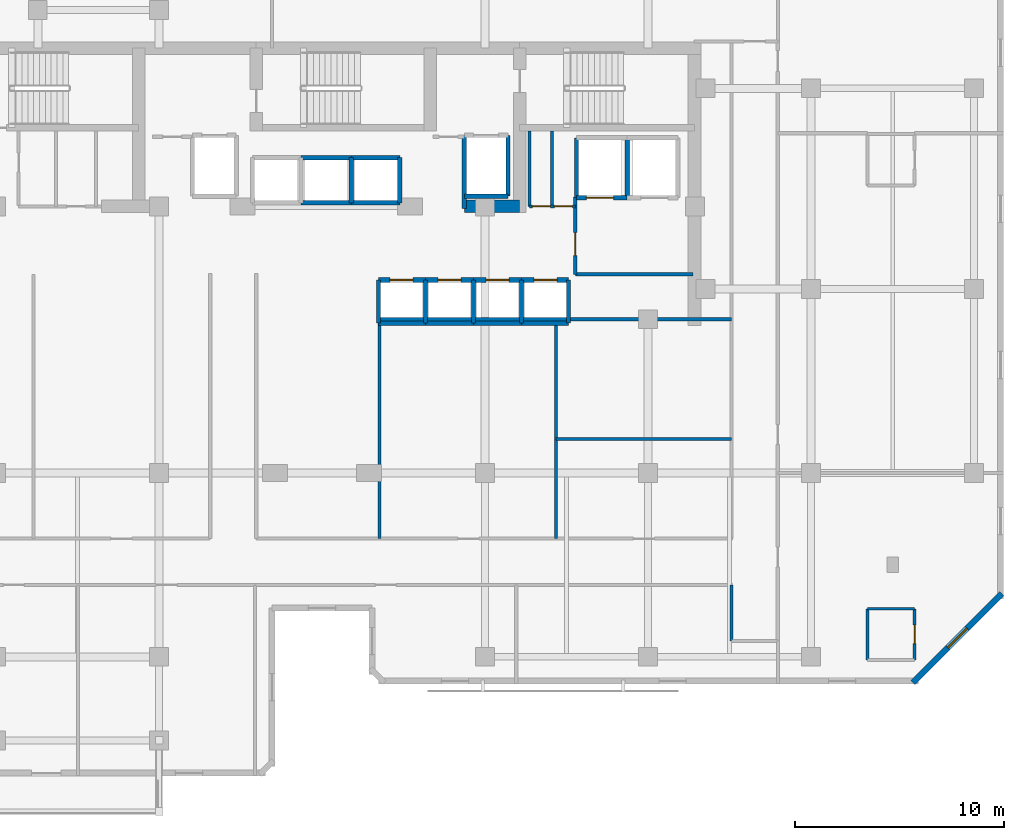
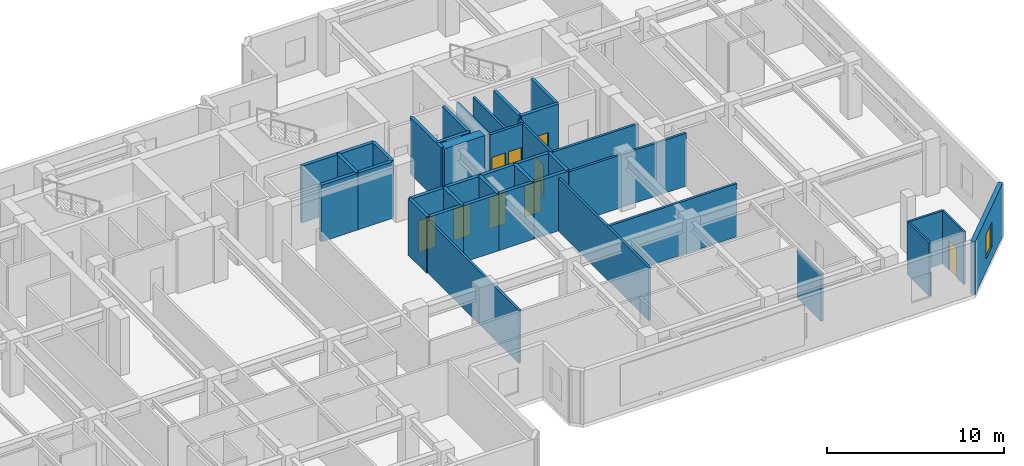
# One storey, part 6 of 11: 40 walls, 9 doors, 1 window, 10 openings.
"""IFC4 building model written with IfcOpenShell, lengths in metres."""

import ifcopenshell
import ifcopenshell.guid

model = None  # the IFC model being written
_history = None  # IfcOwnerHistory: only IFC2X3 demands one
_inside = {}  # id of a spatial element -> (the spatial element, [elements in it])
_under = {}  # id of a project, library or spatial element -> (it, [spatial elements below it])
_declared = {}  # id of a project -> (the project, [libraries it declares])
_typed = {}  # id of a type object -> (the type object, [elements of that type])
_made_of = {}  # id of a material, layer set ... -> (it, [elements and type objects made of it])


def new_model(schema):
    """Start an empty IFC model of exactly this schema.

    Asked for "IFC4X3", IfcOpenShell would pick the latest addendum, in which some entities
    have other attributes; the version numbers below select the first issue.
    IFC2X3 requires an IfcOwnerHistory on every rooted entity: one is made here for all.
    """
    global model, _history
    if schema == "IFC4X3":
        model = ifcopenshell.file(schema_version=(4, 3, 0, 0))
    else:
        model = ifcopenshell.file(schema=schema)
    _inside.clear()
    _under.clear()
    _declared.clear()
    _typed.clear()
    _made_of.clear()
    _history = None
    if model.schema == "IFC2X3":
        org = make("IfcOrganization", Name="unknown")
        user = make(
            "IfcPersonAndOrganization",
            ThePerson=make("IfcPerson", FamilyName="unknown"),
            TheOrganization=org,
        )
        app = make(
            "IfcApplication",
            ApplicationDeveloper=org,
            Version="unknown",
            ApplicationFullName="unknown",
            ApplicationIdentifier="unknown",
        )
        _history = make(
            "IfcOwnerHistory",
            OwningUser=user,
            OwningApplication=app,
            ChangeAction="ADDED",
            CreationDate=0,
        )
    return model


def make(cls, **values):
    """One entity of the class cls with the attributes given. An attribute that is None is left unset."""
    return model.create_entity(
        cls, **{name: value for name, value in values.items() if value is not None}
    )


def rooted(cls, **values):
    """An entity with a GlobalId (a new one), such as an element, a storey or a relation."""
    return make(cls, GlobalId=ifcopenshell.guid.new(), OwnerHistory=_history, **values)


def si_unit(unit_type, name, prefix=None):
    """IfcSIUnit, for example si_unit("LENGTHUNIT", "METRE", prefix="MILLI")."""
    return make("IfcSIUnit", UnitType=unit_type, Prefix=prefix, Name=name)


def assignment(units):
    """IfcUnitAssignment: the units of a project."""
    return None if units is None else make("IfcUnitAssignment", Units=units)


def point(xyz):
    """IfcCartesianPoint."""
    return None if xyz is None else make("IfcCartesianPoint", Coordinates=xyz)


def direction(xyz):
    """IfcDirection."""
    return None if xyz is None else make("IfcDirection", DirectionRatios=xyz)


def frame(location, z_axis=None, x_axis=None):
    """IfcAxis2Placement3D, a coordinate frame: its origin and axes. An axis left out is left unset."""
    return make(
        "IfcAxis2Placement3D",
        Location=point(location),
        Axis=direction(z_axis),
        RefDirection=direction(x_axis),
    )


def frame_2d(location, x_axis=None):
    """IfcAxis2Placement2D, a coordinate frame in the plane: its origin and x axis."""
    return make(
        "IfcAxis2Placement2D", Location=point(location), RefDirection=direction(x_axis)
    )


def origin():
    """The frame at (0, 0, 0) with its axes left unset."""
    return frame((0.0, 0.0, 0.0))


def place(relative_to, where):
    """IfcLocalPlacement: puts the frame where relative to a parent placement (None: the world)."""
    return make(
        "IfcLocalPlacement", PlacementRelTo=relative_to, RelativePlacement=where
    )


def context(
    kind, dimensions, precision=None, world=None, true_north=None, identifier=None
):
    """IfcGeometricRepresentationContext, for example the 3D "Model" context."""
    return make(
        "IfcGeometricRepresentationContext",
        ContextIdentifier=identifier,
        ContextType=kind,
        CoordinateSpaceDimension=dimensions,
        Precision=precision,
        WorldCoordinateSystem=world,
        TrueNorth=true_north,
    )


def subcontext(parent, identifier, kind, view, scale=None):
    """IfcGeometricRepresentationSubContext, for example "Body" below "Model"."""
    return make(
        "IfcGeometricRepresentationSubContext",
        ContextIdentifier=identifier,
        ContextType=kind,
        ParentContext=parent,
        TargetScale=scale,
        TargetView=view,
    )


def project(units=None, contexts=None):
    """IfcProject with its units and contexts."""
    return rooted(
        "IfcProject",
        Name="project",
        RepresentationContexts=contexts,
        UnitsInContext=assignment(units),
    )


def spatial(cls, under=None, at=None, **own):
    """A site, building, storey or space (cls), placed at a placement, below another one or the project."""
    s = rooted(cls, ObjectPlacement=at, **own)
    if under is not None:
        _under.setdefault(under.id(), (under, []))[1].append(s)
    return s


def profile(cls, at=None, kind="AREA", **sizes):
    """A parametric profile (cls). Its sizes go by their IFC names, for example OverallWidth=200.0."""
    return make(cls, ProfileType=kind, Position=at, **sizes)


def rectangle(**sizes):
    """IfcRectangleProfileDef."""
    return profile("IfcRectangleProfileDef", **sizes)


def extrude(swept, where, along, depth):
    """IfcExtrudedAreaSolid: the profile swept, set in the frame where, extruded along a direction by depth."""
    return make(
        "IfcExtrudedAreaSolid",
        SweptArea=swept,
        Position=where,
        ExtrudedDirection=direction(along),
        Depth=depth,
    )


def shape(context_of_items, identifier, shape_type, items):
    """IfcShapeRepresentation: the items that make up one representation, for example the "Body"."""
    return make(
        "IfcShapeRepresentation",
        ContextOfItems=context_of_items,
        RepresentationIdentifier=identifier,
        RepresentationType=shape_type,
        Items=items,
    )


def material(Name=None, Category=None):
    """IfcMaterial."""
    return make("IfcMaterial", Name=Name, Category=Category)


def layer(
    of_material, thickness, ventilated=None, Name=None, Category=None, Priority=None
):
    """IfcMaterialLayer: one layer of a wall or slab, of a material (None: an air gap)."""
    return make(
        "IfcMaterialLayer",
        Material=of_material,
        LayerThickness=thickness,
        IsVentilated=ventilated,
        Name=Name,
        Category=Category,
        Priority=Priority,
    )


def layer_set(layers, Name=None):
    """IfcMaterialLayerSet."""
    return make("IfcMaterialLayerSet", MaterialLayers=layers, LayerSetName=Name)


def made_of(thing, what):
    """Note that an element or type object is made of a material, layer set ...; save() writes the relation."""
    if what is not None:
        _made_of.setdefault(what.id(), (what, []))[1].append(thing)
    return thing


def type_object(cls, material=None, **own):
    """A type object (cls), such as IfcWallType, which elements share."""
    return made_of(rooted(cls, **own), material)


def element(
    cls,
    number,
    at=None,
    inside=None,
    cuts=None,
    type_object=None,
    material=None,
    context=None,
    identifier="Body",
    shape_type=None,
    held_by="IfcProductDefinitionShape",
    body=None,
    shapes=None,
    **own,
):
    """One element of the class cls, such as IfcWall. Its Tag is "e" and its number.

    at: its placement. inside: the storey or other place that contains it. cuts: it is an
    opening in that element (IfcRelVoidsElement). A single representation is given by context,
    identifier, shape_type and body (its items); several are given by shapes. held_by: the class
    of the entity that holds the representations. save() writes the other relations.
    """
    e = rooted(cls, Tag="e%d" % number, ObjectPlacement=at, **own)
    if body is not None:
        shapes = [shape(context, identifier, shape_type, body)]
    if shapes is not None:
        e.Representation = make(held_by, Representations=shapes)
    if inside is not None:
        _inside.setdefault(inside.id(), (inside, []))[1].append(e)
    if cuts is not None:
        rooted(
            "IfcRelVoidsElement", RelatingBuildingElement=cuts, RelatedOpeningElement=e
        )
    if type_object is not None:
        _typed.setdefault(type_object.id(), (type_object, []))[1].append(e)
    return made_of(e, material)


def fill(opening, filler):
    """IfcRelFillsElement: the door or window that sits in an opening."""
    return rooted(
        "IfcRelFillsElement",
        RelatingOpeningElement=opening,
        RelatedBuildingElement=filler,
    )


def aggregate(whole, parts):
    """IfcRelAggregates: a whole, such as a stair, and the parts it consists of."""
    return rooted("IfcRelAggregates", RelatingObject=whole, RelatedObjects=parts)


def save(model, path):
    """Write the relations noted so far, then the file.

    IfcRelAggregates (storeys below a building ...), IfcRelContainedInSpatialStructure (elements
    in a storey), IfcRelDefinesByType, IfcRelAssociatesMaterial and IfcRelDeclares: one each for
    every whole, place, type object, material and project.
    """
    for whole, parts in _under.values():
        aggregate(whole, parts)
    for where, things in _inside.values():
        rooted(
            "IfcRelContainedInSpatialStructure",
            RelatedElements=things,
            RelatingStructure=where,
        )
    for kind, things in _typed.values():
        rooted("IfcRelDefinesByType", RelatedObjects=things, RelatingType=kind)
    for what, things in _made_of.values():
        rooted("IfcRelAssociatesMaterial", RelatedObjects=things, RelatingMaterial=what)
    for by, libraries in _declared.values():
        rooted("IfcRelDeclares", RelatingContext=by, RelatedDefinitions=libraries)
    model.write(path)


model = new_model("IFC4")

# Units and contexts
model_context = context("Model", 3, precision=1e-05, world=origin(), true_north=direction((0.0, 1.0)))
body_context = subcontext(model_context, "Body", "Model", "MODEL_VIEW")
ifc_project = project(units=[si_unit("LENGTHUNIT", "METRE"), si_unit("AREAUNIT", "SQUARE_METRE"), si_unit("VOLUMEUNIT", "CUBIC_METRE"), si_unit("PLANEANGLEUNIT", "RADIAN"), si_unit("MASSUNIT", "GRAM", prefix="KILO")], contexts=[model_context])

# Site, building, storey
site_placement = place(None, origin())
site = spatial("IfcSite", under=ifc_project, at=site_placement, CompositionType="ELEMENT")
building_placement = place(site_placement, origin())
building = spatial("IfcBuilding", under=site, at=building_placement, Name="Kestravale Grand Hotel", CompositionType="ELEMENT")
storey_placement = place(building_placement, frame((0.0, 0.0, 204.60009765625)))
storey = spatial("IfcBuildingStorey", under=building, at=storey_placement, Name="L51", CompositionType="ELEMENT", Elevation=204.60009765625)

# Wall
ifc_material_1 = material(Name="Concrete f'c 50 MPa", Category="concrete")
ifc_layer_1 = layer(ifc_material_1, 0.60009765625)
ifc_layer_set_1 = layer_set([ifc_layer_1], Name="EW-CORE-600")
wall_type_1 = type_object("IfcWallType", Name="EW-CORE-600", PredefinedType="SHEAR", material=ifc_layer_set_1)
wall_1_placement = place(storey_placement, frame((45.81005859375, 32.75, 0.0), z_axis=(0.0, 0.0, 1.0), x_axis=(1.0, 0.0, 0.0)))
element("IfcWall", 1, at=wall_1_placement, inside=storey, type_object=wall_type_1, Name="L51 core shear wall S2", PredefinedType="SHEAR", context=body_context, shape_type="SweptSolid", body=[
    extrude(rectangle(XDim=2.639892578125, YDim=0.60009765625, at=frame_2d((1.31982421875, 0.0))), origin(), (0.0, 0.0, 1.0), 3.89990234375),
])

# Wall, opening, window
ifc_material_2 = material(Name="Precast concrete f'c 45 MPa", Category="concrete")
ifc_layer_2 = layer(ifc_material_2, 0.280029296875)
ifc_layer_set_2 = layer_set([ifc_layer_2], Name="EW-PREC-280")
wall_type_2 = type_object("IfcWallType", Name="EW-PREC-280", PredefinedType="SOLIDWALL", material=ifc_layer_set_2)
wall_2_placement = place(storey_placement, frame((67.272705078125, 9.970703125, 0.0), z_axis=(0.0, 0.0, 1.0), x_axis=(0.707106781187, 0.707106781187, 0.0)))
wall_2 = element("IfcWall", 2, at=wall_2_placement, inside=storey, type_object=wall_type_2, Name="L51 fluted precast facade wall 8", PredefinedType="SOLIDWALL", context=body_context, shape_type="SweptSolid", body=[
    extrude(rectangle(XDim=6.019775390625, YDim=0.280029296875, at=frame_2d((3.009765625, 0.0))), origin(), (0.0, 0.0, 1.0), 3.64990234375),
])
opening_1_placement = place(wall_2_placement, frame((2.35986328125, 0.0, 0.85009765625)))
opening_1 = element("IfcOpeningElement", 3, at=opening_1_placement, cuts=wall_2, Name="Opening W-GUEST-1300", PredefinedType="OPENING", context=body_context, shape_type="SweptSolid", body=[
    extrude(rectangle(XDim=1.300048828125, YDim=1.699951171875, at=frame_2d((0.64990234375, 0.85009765625))), frame((0.0, 0.14990234375, 0.0), z_axis=(0.0, -1.0, 0.0), x_axis=(1.0, 0.0, 0.0)), (0.0, 0.0, 1.0), 0.300048828125),
])
ifc_material_3 = material(Name="Insulated low-E double glazing in aluminium frame", Category="aluminium")
window_type = type_object("IfcWindowType", Name="W-GUEST-1300", PartitioningType="SINGLE_PANEL", PredefinedType="WINDOW", material=ifc_material_3)
window_placement = place(opening_1_placement, origin())
window = element("IfcWindow", 4, at=window_placement, inside=storey, type_object=window_type, Name="L51 exterior window 8.1", OverallHeight=1.699951171875, OverallWidth=1.300048828125, PartitioningType="SINGLE_PANEL", PredefinedType="WINDOW", context=body_context, shape_type="SweptSolid", body=[
    extrude(rectangle(XDim=1.300048828125, YDim=1.699951171875, at=frame_2d((0.64990234375, 0.85009765625))), frame((0.0, 0.030029296875, 0.0), z_axis=(0.0, -1.0, 0.0), x_axis=(1.0, 0.0, 0.0)), (0.0, 0.0, 1.0), 0.06005859375),
])
fill(opening_1, window)

# Wall, opening, door
ifc_material_4 = material(Name="Acoustic fire-rated gypsum board partition", Category="other")
ifc_layer_3 = layer(ifc_material_4, 0.159912109375)
ifc_layer_set_3 = layer_set([ifc_layer_3], Name="IW-CORR-160")
wall_type_3 = type_object("IfcWallType", Name="IW-CORR-160", PredefinedType="PARTITIONING", material=ifc_layer_set_3)
wall_3_placement = place(storey_placement, frame((51.1201171875, 29.5, 0.0), z_axis=(0.0, 0.0, 1.0), x_axis=(0.0, 1.0, 0.0)))
wall_3 = element("IfcWall", 5, at=wall_3_placement, inside=storey, type_object=wall_type_3, Name="W-L51-SVCLOB-W", PredefinedType="PARTITIONING", context=body_context, shape_type="SweptSolid", body=[
    extrude(rectangle(XDim=3.699951171875, YDim=0.159912109375, at=frame_2d((1.85009765625, 0.0))), origin(), (0.0, 0.0, 1.0), 3.64990234375),
])
opening_2_placement = place(wall_3_placement, frame((0.89990234375, 0.0, 0.0)))
opening_2 = element("IfcOpeningElement", 6, at=opening_2_placement, cuts=wall_3, Name="Opening D-CORR-1100", PredefinedType="OPENING", context=body_context, shape_type="SweptSolid", body=[
    extrude(rectangle(XDim=1.10009765625, YDim=2.14990234375, at=frame_2d((0.550048828125, 1.074951171875))), frame((0.0, 0.08984375, 0.0), z_axis=(0.0, -1.0, 0.0), x_axis=(1.0, 0.0, 0.0)), (0.0, 0.0, 1.0), 0.179931640625),
])
ifc_material_5 = material(Name="Single-leaf service vestibule fire door", Category="steel")
door_type_1 = type_object("IfcDoorType", Name="D-CORR-1100", OperationType="NOTDEFINED", PredefinedType="DOOR", material=ifc_material_5)
door_1_placement = place(opening_2_placement, origin())
door_1 = element("IfcDoor", 7, at=door_1_placement, inside=storey, type_object=door_type_1, Name="L51 service lift lobby door", OperationType="SINGLE_SWING_LEFT", OverallHeight=2.14990234375, OverallWidth=1.10009765625, PredefinedType="DOOR", context=body_context, shape_type="SweptSolid", body=[
    extrude(rectangle(XDim=1.10009765625, YDim=2.14990234375, at=frame_2d((0.550048828125, 1.074951171875))), frame((0.0, 0.02490234375, 0.0), z_axis=(0.0, -1.0, 0.0), x_axis=(1.0, 0.0, 0.0)), (0.0, 0.0, 1.0), 0.050048828125),
])
fill(opening_2, door_1)

# Wall
wall_4_placement = place(storey_placement, frame((51.1201171875, 29.5, 0.0), z_axis=(0.0, 0.0, 1.0), x_axis=(1.0, 0.0, 0.0)))
element("IfcWall", 8, at=wall_4_placement, inside=storey, type_object=wall_type_3, Name="L51 service lift lobby wall", PredefinedType="PARTITIONING", context=body_context, shape_type="SweptSolid", body=[
    extrude(rectangle(XDim=5.6298828125, YDim=0.159912109375, at=frame_2d((2.81494140625, 0.0))), origin(), (0.0, 0.0, 1.0), 3.64990234375),
])

# Wall, openings, doors
wall_5_placement = place(storey_placement, frame((48.919921875, 32.75, 0.0), z_axis=(0.0, 0.0, 1.0), x_axis=(1.0, 0.0, 0.0)))
wall_5 = element("IfcWall", 9, at=wall_5_placement, inside=storey, type_object=wall_type_3, Name="W-L51-CES", PredefinedType="PARTITIONING", context=body_context, shape_type="SweptSolid", body=[
    extrude(rectangle(XDim=2.2001953125, YDim=0.159912109375, at=frame_2d((1.10009765625, 0.0))), origin(), (0.0, 0.0, 1.0), 3.64990234375),
])
opening_3_placement = place(wall_5_placement, frame((0.139892578125, 0.0, 0.0)))
opening_3 = element("IfcOpeningElement", 10, at=opening_3_placement, cuts=wall_5, Name="Opening D-SH-860", PredefinedType="OPENING", context=body_context, shape_type="SweptSolid", body=[
    extrude(rectangle(XDim=0.860107421875, YDim=2.050048828125, at=frame_2d((0.43017578125, 1.02490234375))), frame((0.0, 0.08984375, 0.0), z_axis=(0.0, -1.0, 0.0), x_axis=(1.0, 0.0, 0.0)), (0.0, 0.0, 1.0), 0.179931640625),
])
opening_4_placement = place(wall_5_placement, frame((1.199951171875, 0.0, 0.0)))
opening_4 = element("IfcOpeningElement", 11, at=opening_4_placement, cuts=wall_5, Name="Opening D-SH-860", PredefinedType="OPENING", context=body_context, shape_type="SweptSolid", body=[
    extrude(rectangle(XDim=0.860107421875, YDim=2.050048828125, at=frame_2d((0.43017578125, 1.02490234375))), frame((0.0, 0.08984375, 0.0), z_axis=(0.0, -1.0, 0.0), x_axis=(1.0, 0.0, 0.0)), (0.0, 0.0, 1.0), 0.179931640625),
])
ifc_material_6 = material(Name="Galvanised 90-minute riser fire door", Category="steel")
door_type_2 = type_object("IfcDoorType", Name="D-SH-860", OperationType="NOTDEFINED", PredefinedType="DOOR", material=ifc_material_6)
door_2_placement = place(opening_3_placement, origin())
door_2 = element("IfcDoor", 12, at=door_2_placement, inside=storey, type_object=door_type_2, Name="L51 CSTO1 door", OperationType="SINGLE_SWING_LEFT", OverallHeight=2.050048828125, OverallWidth=0.860107421875, PredefinedType="DOOR", context=body_context, shape_type="SweptSolid", body=[
    extrude(rectangle(XDim=0.860107421875, YDim=2.050048828125, at=frame_2d((0.43017578125, 1.02490234375))), frame((0.0, 0.02490234375, 0.0), z_axis=(0.0, -1.0, 0.0), x_axis=(1.0, 0.0, 0.0)), (0.0, 0.0, 1.0), 0.050048828125),
])
fill(opening_3, door_2)
door_3_placement = place(opening_4_placement, origin())
door_3 = element("IfcDoor", 13, at=door_3_placement, inside=storey, type_object=door_type_2, Name="L51 CSTO2 door", OperationType="SINGLE_SWING_RIGHT", OverallHeight=2.050048828125, OverallWidth=0.860107421875, PredefinedType="DOOR", context=body_context, shape_type="SweptSolid", body=[
    extrude(rectangle(XDim=0.860107421875, YDim=2.050048828125, at=frame_2d((0.43017578125, 1.02490234375))), frame((0.0, 0.02490234375, 0.0), z_axis=(0.0, -1.0, 0.0), x_axis=(1.0, 0.0, 0.0)), (0.0, 0.0, 1.0), 0.050048828125),
])
fill(opening_4, door_3)

# Walls
wall_6_placement = place(storey_placement, frame((58.590087890625, 11.949951171875, 0.0), z_axis=(0.0, 0.0, 1.0), x_axis=(0.0, 1.0, 0.0)))
element("IfcWall", 14, at=wall_6_placement, inside=storey, type_object=wall_type_3, Name="W-L51-SE-W", PredefinedType="PARTITIONING", context=body_context, shape_type="SweptSolid", body=[
    extrude(rectangle(XDim=2.68994140625, YDim=0.159912109375, at=frame_2d((1.344970703125, 0.0))), origin(), (0.0, 0.0, 1.0), 3.245849609375),
])
ifc_material_7 = material(Name="Moisture-resistant tile-backer plumbing chase wall", Category="other")
ifc_layer_4 = layer(ifc_material_7, 0.139892578125)
ifc_layer_set_4 = layer_set([ifc_layer_4], Name="IW-PLB-140")
wall_type_4 = type_object("IfcWallType", Name="IW-PLB-140", PredefinedType="PLUMBINGWALL", material=ifc_layer_set_4)
wall_7_placement = place(storey_placement, frame((65.10009765625, 11.050048828125, 0.0), z_axis=(0.0, 0.0, 1.0), x_axis=(0.0, 1.0, 0.0)))
element("IfcWall", 15, at=wall_7_placement, inside=storey, type_object=wall_type_4, Name="W-L51-U05-BW", PredefinedType="PLUMBINGWALL", context=body_context, shape_type="SweptSolid", body=[
    extrude(rectangle(XDim=2.449951171875, YDim=0.139892578125, at=frame_2d((1.22509765625, 0.0))), origin(), (0.0, 0.0, 1.0), 3.64990234375),
])

# Wall, opening, door
wall_8_placement = place(storey_placement, frame((67.35009765625, 11.050048828125, 0.0), z_axis=(0.0, 0.0, 1.0), x_axis=(0.0, 1.0, 0.0)))
wall_8 = element("IfcWall", 16, at=wall_8_placement, inside=storey, type_object=wall_type_4, Name="W-L51-U05-BE", PredefinedType="PLUMBINGWALL", context=body_context, shape_type="SweptSolid", body=[
    extrude(rectangle(XDim=2.449951171875, YDim=0.139892578125, at=frame_2d((1.22509765625, 0.0))), origin(), (0.0, 0.0, 1.0), 3.64990234375),
])
opening_5_placement = place(wall_8_placement, frame((0.784912109375, 0.0, 0.0)))
opening_5 = element("IfcOpeningElement", 17, at=opening_5_placement, cuts=wall_8, Name="Opening D-BATH-880", PredefinedType="OPENING", context=body_context, shape_type="SweptSolid", body=[
    extrude(rectangle(XDim=0.8798828125, YDim=2.050048828125, at=frame_2d((0.43994140625, 1.02490234375))), frame((0.0, 0.079833984375, 0.0), z_axis=(0.0, -1.0, 0.0), x_axis=(1.0, 0.0, 0.0)), (0.0, 0.0, 1.0), 0.159912109375),
])
ifc_material_8 = material(Name="Moisture-sealed walnut en-suite bathroom door", Category="wood")
door_type_3 = type_object("IfcDoorType", Name="D-BATH-880", OperationType="NOTDEFINED", PredefinedType="DOOR", material=ifc_material_8)
door_4_placement = place(opening_5_placement, origin())
door_4 = element("IfcDoor", 18, at=door_4_placement, inside=storey, type_object=door_type_3, Name="D-L51-U05-BATH", OperationType="SINGLE_SWING_RIGHT", OverallHeight=2.050048828125, OverallWidth=0.8798828125, PredefinedType="DOOR", context=body_context, shape_type="SweptSolid", body=[
    extrude(rectangle(XDim=0.8798828125, YDim=2.050048828125, at=frame_2d((0.43994140625, 1.02490234375))), frame((0.0, 0.02490234375, 0.0), z_axis=(0.0, -1.0, 0.0), x_axis=(1.0, 0.0, 0.0)), (0.0, 0.0, 1.0), 0.050048828125),
])
fill(opening_5, door_4)

# Walls
wall_9_placement = place(storey_placement, frame((65.10009765625, 13.5, 0.0), z_axis=(0.0, 0.0, 1.0), x_axis=(1.0, 0.0, 0.0)))
element("IfcWall", 19, at=wall_9_placement, inside=storey, type_object=wall_type_4, Name="W-L51-U05-BN", PredefinedType="PLUMBINGWALL", context=body_context, shape_type="SweptSolid", body=[
    extrude(rectangle(XDim=2.25, YDim=0.139892578125, at=frame_2d((1.125, 0.0))), origin(), (0.0, 0.0, 1.0), 3.64990234375),
])
ifc_material_9 = material(Name="Concrete f'c 45 MPa", Category="concrete")
ifc_layer_5 = layer(ifc_material_9, 0.199951171875)
ifc_layer_set_5 = layer_set([ifc_layer_5], Name="IW-SHAFT-200")
wall_type_5 = type_object("IfcWallType", Name="IW-SHAFT-200", PredefinedType="SHEAR", material=ifc_layer_set_5)
for number, where, z_axis, x_axis, name in (
    (20, (41.705078125, 27.169921875, 0.0), (0.0, 0.0, 1.0), (0.0, 1.0, 0.0), "L51 PL-M1 west shaft wall"),
    (21, (43.949951171875, 27.169921875, 0.0), (0.0, 0.0, 1.0), (0.0, 1.0, 0.0), "L51 PL-M2 west shaft wall"),
    (22, (46.25, 27.169921875, 0.0), (0.0, 0.0, 1.0), (0.0, 1.0, 0.0), "L51 PL-M3 west shaft wall"),
    (23, (48.550048828125, 27.169921875, 0.0), (0.0, 0.0, 1.0), (0.0, 1.0, 0.0), "L51 PL-M4 west shaft wall"),
    (24, (50.794921875, 27.169921875, 0.0), (0.0, 0.0, 1.0), (0.0, 1.0, 0.0), "L51 PL-M4 east shaft wall"),
):
    element("IfcWall", number, at=place(storey_placement, frame(where, z_axis=z_axis, x_axis=x_axis)), inside=storey, type_object=wall_type_5, Name=name, PredefinedType="SHEAR", context=body_context, shape_type="SweptSolid", body=[
        extrude(rectangle(XDim=2.06005859375, YDim=0.199951171875, at=frame_2d((1.030029296875, 0.0))), origin(), (0.0, 0.0, 1.0), 3.89990234375),
    ])
for number, where, z_axis, x_axis, name in (
    (25, (40.39990234375, 32.919921875, 0.0), (0.0, 0.0, 1.0), (0.0, 1.0, 0.0), "L51 PL-X3 west shaft wall"),
    (26, (42.719970703125, 32.919921875, 0.0), (0.0, 0.0, 1.0), (0.0, 1.0, 0.0), "L51 PL-X3 east shaft wall"),
):
    element("IfcWall", number, at=place(storey_placement, frame(where, z_axis=z_axis, x_axis=x_axis)), inside=storey, type_object=wall_type_5, Name=name, PredefinedType="SHEAR", context=body_context, shape_type="SweptSolid", body=[
        extrude(rectangle(XDim=2.16015625, YDim=0.199951171875, at=frame_2d((1.080078125, 0.0))), origin(), (0.0, 0.0, 1.0), 3.89990234375),
    ])
for number, where, z_axis, x_axis, name in (
    (27, (51.179931640625, 33.169921875, 0.0), (0.0, 0.0, 1.0), (0.0, 1.0, 0.0), "L51 SL-1 west shaft wall"),
    (28, (53.60009765625, 33.169921875, 0.0), (0.0, 0.0, 1.0), (0.0, 1.0, 0.0), "L51 SL-2 west shaft wall"),
):
    element("IfcWall", number, at=place(storey_placement, frame(where, z_axis=z_axis, x_axis=x_axis)), inside=storey, type_object=wall_type_5, Name=name, PredefinedType="SHEAR", context=body_context, shape_type="SweptSolid", body=[
        extrude(rectangle(XDim=2.860107421875, YDim=0.199951171875, at=frame_2d((1.43017578125, 0.0))), origin(), (0.0, 0.0, 1.0), 3.89990234375),
    ])
wall_10_placement = place(storey_placement, frame((45.804931640625, 32.64990234375, 0.0), z_axis=(0.0, 0.0, 1.0), x_axis=(0.0, 1.0, 0.0)))
element("IfcWall", 29, at=wall_10_placement, inside=storey, type_object=wall_type_5, Name="L51 FL-2 west shaft wall", PredefinedType="SHEAR", context=body_context, shape_type="SweptSolid", body=[
    extrude(rectangle(XDim=3.505126953125, YDim=0.199951171875, at=frame_2d((1.75244140625, 0.0))), origin(), (0.0, 0.0, 1.0), 3.89990234375),
])
wall_11_placement = place(storey_placement, frame((47.89501953125, 33.2451171875, 0.0), z_axis=(0.0, 0.0, 1.0), x_axis=(0.0, 1.0, 0.0)))
element("IfcWall", 30, at=wall_11_placement, inside=storey, type_object=wall_type_5, Name="L51 FL-2 east shaft wall", PredefinedType="SHEAR", context=body_context, shape_type="SweptSolid", body=[
    extrude(rectangle(XDim=2.909912109375, YDim=0.199951171875, at=frame_2d((1.455078125, 0.0))), origin(), (0.0, 0.0, 1.0), 3.89990234375),
])

# Wall, opening, door
ifc_material_10 = material(Name="Concrete f'c 45 MPa", Category="concrete")
ifc_layer_6 = layer(ifc_material_10, 0.219970703125)
ifc_layer_set_6 = layer_set([ifc_layer_6], Name="IW-SHAFT-220")
wall_type_6 = type_object("IfcWallType", Name="IW-SHAFT-220", PredefinedType="SHEAR", material=ifc_layer_set_6)
wall_12_placement = place(storey_placement, frame((41.705078125, 29.22998046875, 0.0), z_axis=(0.0, 0.0, 1.0), x_axis=(1.0, 0.0, 0.0)))
wall_12 = element("IfcWall", 31, at=wall_12_placement, inside=storey, type_object=wall_type_6, Name="L51 PL-M1 north shaft wall", PredefinedType="SHEAR", context=body_context, shape_type="SweptSolid", body=[
    extrude(rectangle(XDim=2.244873046875, YDim=0.219970703125, at=frame_2d((1.12255859375, 0.0))), origin(), (0.0, 0.0, 1.0), 3.89990234375),
])
opening_6_placement = place(wall_12_placement, frame((0.544921875, 0.0, 0.0)))
opening_6 = element("IfcOpeningElement", 32, at=opening_6_placement, cuts=wall_12, Name="Opening LD-PAX-1100", PredefinedType="OPENING", context=body_context, shape_type="SweptSolid", body=[
    extrude(rectangle(XDim=1.10009765625, YDim=2.14990234375, at=frame_2d((0.550048828125, 1.074951171875))), frame((0.0, 0.119873046875, 0.0), z_axis=(0.0, -1.0, 0.0), x_axis=(1.0, 0.0, 0.0)), (0.0, 0.0, 1.0), 0.239990234375),
])
ifc_material_11 = material(Name="Champagne-bronze center-opening sliding elevator landing door", Category="steel")
door_type_4 = type_object("IfcDoorType", Name="LD-PAX-1100", OperationType="NOTDEFINED", PredefinedType="DOOR", material=ifc_material_11)
door_5_placement = place(opening_6_placement, origin())
door_5 = element("IfcDoor", 33, at=door_5_placement, inside=storey, type_object=door_type_4, Name="L51 PL-M1 elevator landing sliding door", OperationType="DOUBLE_DOOR_SLIDING", OverallHeight=2.14990234375, OverallWidth=1.10009765625, PredefinedType="DOOR", context=body_context, shape_type="SweptSolid", body=[
    extrude(rectangle(XDim=1.10009765625, YDim=2.14990234375, at=frame_2d((0.550048828125, 1.074951171875))), frame((0.0, 0.02490234375, 0.0), z_axis=(0.0, -1.0, 0.0), x_axis=(1.0, 0.0, 0.0)), (0.0, 0.0, 1.0), 0.050048828125),
])
fill(opening_6, door_5)

# Wall
wall_13_placement = place(storey_placement, frame((41.705078125, 27.169921875, 0.0), z_axis=(0.0, 0.0, 1.0), x_axis=(1.0, 0.0, 0.0)))
element("IfcWall", 34, at=wall_13_placement, inside=storey, type_object=wall_type_6, Name="L51 PL-M1 south shaft wall", PredefinedType="SHEAR", context=body_context, shape_type="SweptSolid", body=[
    extrude(rectangle(XDim=2.244873046875, YDim=0.219970703125, at=frame_2d((1.12255859375, 0.0))), origin(), (0.0, 0.0, 1.0), 3.89990234375),
])

# Wall, opening, door
wall_14_placement = place(storey_placement, frame((43.949951171875, 29.22998046875, 0.0), z_axis=(0.0, 0.0, 1.0), x_axis=(1.0, 0.0, 0.0)))
wall_14 = element("IfcWall", 35, at=wall_14_placement, inside=storey, type_object=wall_type_6, Name="L51 PL-M2 north shaft wall", PredefinedType="SHEAR", context=body_context, shape_type="SweptSolid", body=[
    extrude(rectangle(XDim=2.300048828125, YDim=0.219970703125, at=frame_2d((1.14990234375, 0.0))), origin(), (0.0, 0.0, 1.0), 3.89990234375),
])
opening_7_placement = place(wall_14_placement, frame((0.60009765625, 0.0, 0.0)))
opening_7 = element("IfcOpeningElement", 36, at=opening_7_placement, cuts=wall_14, Name="Opening LD-PAX-1100", PredefinedType="OPENING", context=body_context, shape_type="SweptSolid", body=[
    extrude(rectangle(XDim=1.10009765625, YDim=2.14990234375, at=frame_2d((0.550048828125, 1.074951171875))), frame((0.0, 0.119873046875, 0.0), z_axis=(0.0, -1.0, 0.0), x_axis=(1.0, 0.0, 0.0)), (0.0, 0.0, 1.0), 0.239990234375),
])
door_6_placement = place(opening_7_placement, origin())
door_6 = element("IfcDoor", 37, at=door_6_placement, inside=storey, type_object=door_type_4, Name="L51 PL-M2 elevator landing sliding door", OperationType="DOUBLE_DOOR_SLIDING", OverallHeight=2.14990234375, OverallWidth=1.10009765625, PredefinedType="DOOR", context=body_context, shape_type="SweptSolid", body=[
    extrude(rectangle(XDim=1.10009765625, YDim=2.14990234375, at=frame_2d((0.550048828125, 1.074951171875))), frame((0.0, 0.02490234375, 0.0), z_axis=(0.0, -1.0, 0.0), x_axis=(1.0, 0.0, 0.0)), (0.0, 0.0, 1.0), 0.050048828125),
])
fill(opening_7, door_6)

# Wall
wall_15_placement = place(storey_placement, frame((43.949951171875, 27.169921875, 0.0), z_axis=(0.0, 0.0, 1.0), x_axis=(1.0, 0.0, 0.0)))
element("IfcWall", 38, at=wall_15_placement, inside=storey, type_object=wall_type_6, Name="L51 PL-M2 south shaft wall", PredefinedType="SHEAR", context=body_context, shape_type="SweptSolid", body=[
    extrude(rectangle(XDim=2.300048828125, YDim=0.219970703125, at=frame_2d((1.14990234375, 0.0))), origin(), (0.0, 0.0, 1.0), 3.89990234375),
])

# Wall, opening, door
wall_16_placement = place(storey_placement, frame((46.25, 29.22998046875, 0.0), z_axis=(0.0, 0.0, 1.0), x_axis=(1.0, 0.0, 0.0)))
wall_16 = element("IfcWall", 39, at=wall_16_placement, inside=storey, type_object=wall_type_6, Name="L51 PL-M3 north shaft wall", PredefinedType="SHEAR", context=body_context, shape_type="SweptSolid", body=[
    extrude(rectangle(XDim=2.300048828125, YDim=0.219970703125, at=frame_2d((1.14990234375, 0.0))), origin(), (0.0, 0.0, 1.0), 3.89990234375),
])
opening_8_placement = place(wall_16_placement, frame((0.60009765625, 0.0, 0.0)))
opening_8 = element("IfcOpeningElement", 40, at=opening_8_placement, cuts=wall_16, Name="Opening LD-PAX-1100", PredefinedType="OPENING", context=body_context, shape_type="SweptSolid", body=[
    extrude(rectangle(XDim=1.10009765625, YDim=2.14990234375, at=frame_2d((0.550048828125, 1.074951171875))), frame((0.0, 0.119873046875, 0.0), z_axis=(0.0, -1.0, 0.0), x_axis=(1.0, 0.0, 0.0)), (0.0, 0.0, 1.0), 0.239990234375),
])
door_7_placement = place(opening_8_placement, origin())
door_7 = element("IfcDoor", 41, at=door_7_placement, inside=storey, type_object=door_type_4, Name="L51 PL-M3 elevator landing sliding door", OperationType="DOUBLE_DOOR_SLIDING", OverallHeight=2.14990234375, OverallWidth=1.10009765625, PredefinedType="DOOR", context=body_context, shape_type="SweptSolid", body=[
    extrude(rectangle(XDim=1.10009765625, YDim=2.14990234375, at=frame_2d((0.550048828125, 1.074951171875))), frame((0.0, 0.02490234375, 0.0), z_axis=(0.0, -1.0, 0.0), x_axis=(1.0, 0.0, 0.0)), (0.0, 0.0, 1.0), 0.050048828125),
])
fill(opening_8, door_7)

# Wall
wall_17_placement = place(storey_placement, frame((46.25, 27.169921875, 0.0), z_axis=(0.0, 0.0, 1.0), x_axis=(1.0, 0.0, 0.0)))
element("IfcWall", 42, at=wall_17_placement, inside=storey, type_object=wall_type_6, Name="L51 PL-M3 south shaft wall", PredefinedType="SHEAR", context=body_context, shape_type="SweptSolid", body=[
    extrude(rectangle(XDim=2.300048828125, YDim=0.219970703125, at=frame_2d((1.14990234375, 0.0))), origin(), (0.0, 0.0, 1.0), 3.89990234375),
])

# Wall, opening, door
wall_18_placement = place(storey_placement, frame((48.550048828125, 29.22998046875, 0.0), z_axis=(0.0, 0.0, 1.0), x_axis=(1.0, 0.0, 0.0)))
wall_18 = element("IfcWall", 43, at=wall_18_placement, inside=storey, type_object=wall_type_6, Name="L51 PL-M4 north shaft wall", PredefinedType="SHEAR", context=body_context, shape_type="SweptSolid", body=[
    extrude(rectangle(XDim=2.244873046875, YDim=0.219970703125, at=frame_2d((1.12255859375, 0.0))), origin(), (0.0, 0.0, 1.0), 3.89990234375),
])
opening_9_placement = place(wall_18_placement, frame((0.60009765625, 0.0, 0.0)))
opening_9 = element("IfcOpeningElement", 44, at=opening_9_placement, cuts=wall_18, Name="Opening LD-PAX-1100", PredefinedType="OPENING", context=body_context, shape_type="SweptSolid", body=[
    extrude(rectangle(XDim=1.10009765625, YDim=2.14990234375, at=frame_2d((0.550048828125, 1.074951171875))), frame((0.0, 0.119873046875, 0.0), z_axis=(0.0, -1.0, 0.0), x_axis=(1.0, 0.0, 0.0)), (0.0, 0.0, 1.0), 0.239990234375),
])
door_8_placement = place(opening_9_placement, origin())
door_8 = element("IfcDoor", 45, at=door_8_placement, inside=storey, type_object=door_type_4, Name="L51 PL-M4 elevator landing sliding door", OperationType="DOUBLE_DOOR_SLIDING", OverallHeight=2.14990234375, OverallWidth=1.10009765625, PredefinedType="DOOR", context=body_context, shape_type="SweptSolid", body=[
    extrude(rectangle(XDim=1.10009765625, YDim=2.14990234375, at=frame_2d((0.550048828125, 1.074951171875))), frame((0.0, 0.02490234375, 0.0), z_axis=(0.0, -1.0, 0.0), x_axis=(1.0, 0.0, 0.0)), (0.0, 0.0, 1.0), 0.050048828125),
])
fill(opening_9, door_8)

# Walls
wall_19_placement = place(storey_placement, frame((48.550048828125, 27.169921875, 0.0), z_axis=(0.0, 0.0, 1.0), x_axis=(1.0, 0.0, 0.0)))
element("IfcWall", 46, at=wall_19_placement, inside=storey, type_object=wall_type_6, Name="L51 PL-M4 south shaft wall", PredefinedType="SHEAR", context=body_context, shape_type="SweptSolid", body=[
    extrude(rectangle(XDim=2.244873046875, YDim=0.219970703125, at=frame_2d((1.12255859375, 0.0))), origin(), (0.0, 0.0, 1.0), 3.89990234375),
])
for number, where, z_axis, x_axis, name in (
    (47, (38.0, 35.080078125, 0.0), (0.0, 0.0, 1.0), (1.0, 0.0, 0.0), "L51 PL-X2 north shaft wall"),
    (48, (38.0, 32.919921875, 0.0), (0.0, 0.0, 1.0), (1.0, 0.0, 0.0), "L51 PL-X2 south shaft wall"),
):
    element("IfcWall", number, at=place(storey_placement, frame(where, z_axis=z_axis, x_axis=x_axis)), inside=storey, type_object=wall_type_6, Name=name, PredefinedType="SHEAR", context=body_context, shape_type="SweptSolid", body=[
        extrude(rectangle(XDim=2.39990234375, YDim=0.219970703125, at=frame_2d((1.199951171875, 0.0))), origin(), (0.0, 0.0, 1.0), 3.89990234375),
    ])
for number, where, z_axis, x_axis, name in (
    (49, (40.39990234375, 35.080078125, 0.0), (0.0, 0.0, 1.0), (1.0, 0.0, 0.0), "L51 PL-X3 north shaft wall"),
    (50, (40.39990234375, 32.919921875, 0.0), (0.0, 0.0, 1.0), (1.0, 0.0, 0.0), "L51 PL-X3 south shaft wall"),
):
    element("IfcWall", number, at=place(storey_placement, frame(where, z_axis=z_axis, x_axis=x_axis)), inside=storey, type_object=wall_type_6, Name=name, PredefinedType="SHEAR", context=body_context, shape_type="SweptSolid", body=[
        extrude(rectangle(XDim=2.320068359375, YDim=0.219970703125, at=frame_2d((1.16015625, 0.0))), origin(), (0.0, 0.0, 1.0), 3.89990234375),
    ])

# Wall, opening, door
wall_20_placement = place(storey_placement, frame((51.179931640625, 33.169921875, 0.0), z_axis=(0.0, 0.0, 1.0), x_axis=(1.0, 0.0, 0.0)))
wall_20 = element("IfcWall", 51, at=wall_20_placement, inside=storey, type_object=wall_type_6, Name="L51 SL-1 south shaft wall", PredefinedType="SHEAR", context=body_context, shape_type="SweptSolid", body=[
    extrude(rectangle(XDim=2.420166015625, YDim=0.219970703125, at=frame_2d((1.2099609375, 0.0))), origin(), (0.0, 0.0, 1.0), 3.89990234375),
])
opening_10_placement = place(wall_20_placement, frame((0.469970703125, 0.0, 0.0)))
opening_10 = element("IfcOpeningElement", 52, at=opening_10_placement, cuts=wall_20, Name="Opening LD-SVC-1300", PredefinedType="OPENING", context=body_context, shape_type="SweptSolid", body=[
    extrude(rectangle(XDim=1.300048828125, YDim=2.14990234375, at=frame_2d((0.64990234375, 1.074951171875))), frame((0.0, 0.119873046875, 0.0), z_axis=(0.0, -1.0, 0.0), x_axis=(1.0, 0.0, 0.0)), (0.0, 0.0, 1.0), 0.239990234375),
])
ifc_material_12 = material(Name="Heavy-duty service sliding elevator landing door", Category="steel")
door_type_5 = type_object("IfcDoorType", Name="LD-SVC-1300", OperationType="NOTDEFINED", PredefinedType="DOOR", material=ifc_material_12)
door_9_placement = place(opening_10_placement, origin())
door_9 = element("IfcDoor", 53, at=door_9_placement, inside=storey, type_object=door_type_5, Name="L51 SL-1 elevator landing sliding door", OperationType="DOUBLE_DOOR_SLIDING", OverallHeight=2.14990234375, OverallWidth=1.300048828125, PredefinedType="DOOR", context=body_context, shape_type="SweptSolid", body=[
    extrude(rectangle(XDim=1.300048828125, YDim=2.14990234375, at=frame_2d((0.64990234375, 1.074951171875))), frame((0.0, 0.02490234375, 0.0), z_axis=(0.0, -1.0, 0.0), x_axis=(1.0, 0.0, 0.0)), (0.0, 0.0, 1.0), 0.050048828125),
])
fill(opening_10, door_9)

# Walls
wall_21_placement = place(storey_placement, frame((45.804931640625, 33.2451171875, 0.0), z_axis=(0.0, 0.0, 1.0), x_axis=(1.0, 0.0, 0.0)))
element("IfcWall", 54, at=wall_21_placement, inside=storey, type_object=wall_type_6, Name="L51 FL-2 south shaft wall", PredefinedType="SHEAR", context=body_context, shape_type="SweptSolid", body=[
    extrude(rectangle(XDim=2.090087890625, YDim=0.219970703125, at=frame_2d((1.044921875, 0.0))), origin(), (0.0, 0.0, 1.0), 3.89990234375),
])
ifc_material_13 = material(Name="Double-stud STC 52 acoustic demising partition", Category="other")
ifc_layer_7 = layer(ifc_material_13, 0.14990234375)
ifc_layer_set_7 = layer_set([ifc_layer_7], Name="IW-UNIT-150")
wall_type_7 = type_object("IfcWallType", Name="IW-UNIT-150", PredefinedType="PARTITIONING", material=ifc_layer_set_7)
for number, where, z_axis, x_axis, name in (
    (55, (48.919921875, 32.75, 0.0), (0.0, 0.0, 1.0), (0.0, 1.0, 0.0), "W-L51-CEW"),
    (56, (50.010009765625, 32.75, 0.0), (0.0, 0.0, 1.0), (0.0, 1.0, 0.0), "W-L51-CC1-EM"),
):
    element("IfcWall", number, at=place(storey_placement, frame(where, z_axis=z_axis, x_axis=x_axis)), inside=storey, type_object=wall_type_7, Name=name, PredefinedType="PARTITIONING", context=body_context, shape_type="SweptSolid", body=[
        extrude(rectangle(XDim=3.6201171875, YDim=0.14990234375, at=frame_2d((1.81005859375, 0.0))), origin(), (0.0, 0.0, 1.0), 3.64990234375),
    ])
wall_22_placement = place(storey_placement, frame((41.75, 16.860107421875, 0.0), z_axis=(0.0, 0.0, 1.0), x_axis=(0.0, 1.0, 0.0)))
element("IfcWall", 57, at=wall_22_placement, inside=storey, type_object=wall_type_7, Name="W-L51-RCLE-W", PredefinedType="PARTITIONING", context=body_context, shape_type="SweptSolid", body=[
    extrude(rectangle(XDim=10.309814453125, YDim=0.14990234375, at=frame_2d((5.15478515625, 0.0))), origin(), (0.0, 0.0, 1.0), 3.64990234375),
])
wall_23_placement = place(storey_placement, frame((50.199951171875, 16.860107421875, 0.0), z_axis=(0.0, 0.0, 1.0), x_axis=(0.0, 1.0, 0.0)))
element("IfcWall", 58, at=wall_23_placement, inside=storey, type_object=wall_type_7, Name="W-L51-RCLE-M", PredefinedType="PARTITIONING", context=body_context, shape_type="SweptSolid", body=[
    extrude(rectangle(XDim=10.289794921875, YDim=0.14990234375, at=frame_2d((5.14501953125, 0.0))), origin(), (0.0, 0.0, 1.0), 3.64990234375),
])
wall_24_placement = place(storey_placement, frame((41.75, 27.35009765625, 0.0), z_axis=(0.0, 0.0, 1.0), x_axis=(1.0, 0.0, 0.0)))
element("IfcWall", 59, at=wall_24_placement, inside=storey, type_object=wall_type_7, Name="W-L51-RCLE-N", PredefinedType="PARTITIONING", context=body_context, shape_type="SweptSolid", body=[
    extrude(rectangle(XDim=16.840087890625, YDim=0.14990234375, at=frame_2d((8.419921875, 0.0))), origin(), (0.0, 0.0, 1.0), 3.64990234375),
])
wall_25_placement = place(storey_placement, frame((50.199951171875, 21.6201171875, 0.0), z_axis=(0.0, 0.0, 1.0), x_axis=(1.0, 0.0, 0.0)))
element("IfcWall", 60, at=wall_25_placement, inside=storey, type_object=wall_type_7, Name="W-L51-RCLE-H", PredefinedType="PARTITIONING", context=body_context, shape_type="SweptSolid", body=[
    extrude(rectangle(XDim=8.39013671875, YDim=0.14990234375, at=frame_2d((4.195068359375, 0.0))), origin(), (0.0, 0.0, 1.0), 3.64990234375),
])

save(model, "model.ifc")
